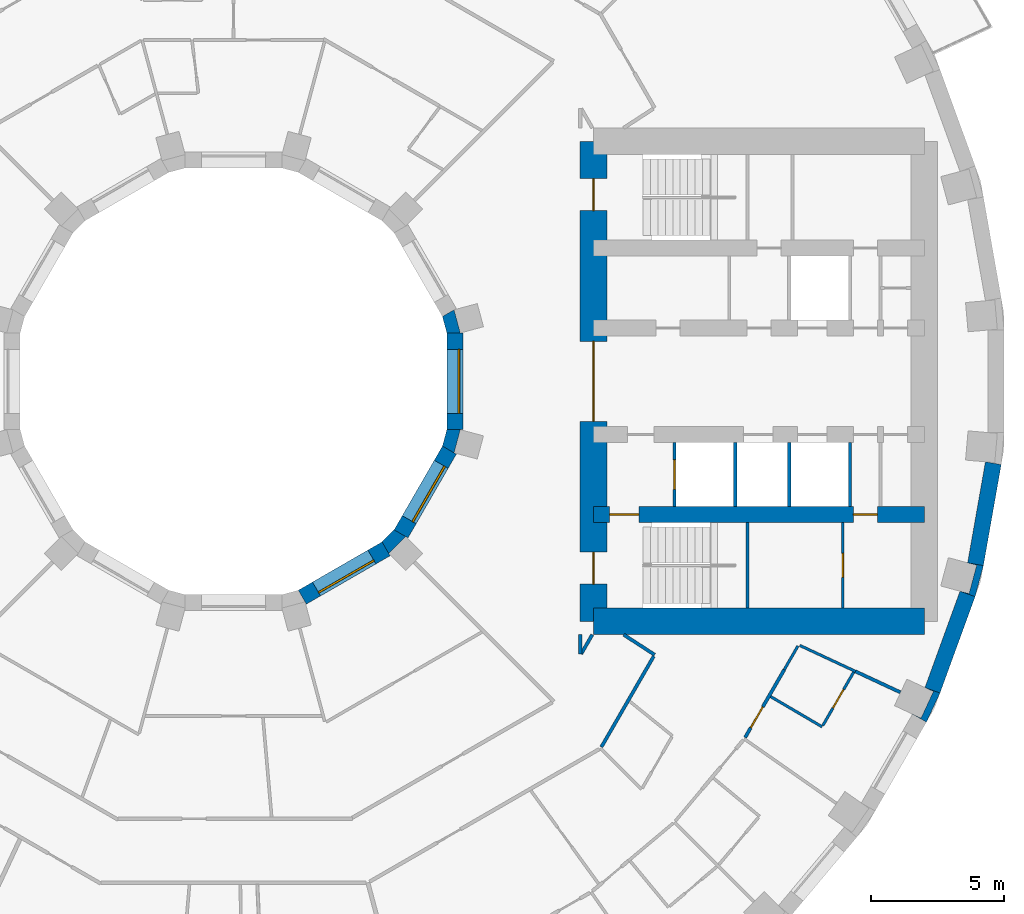
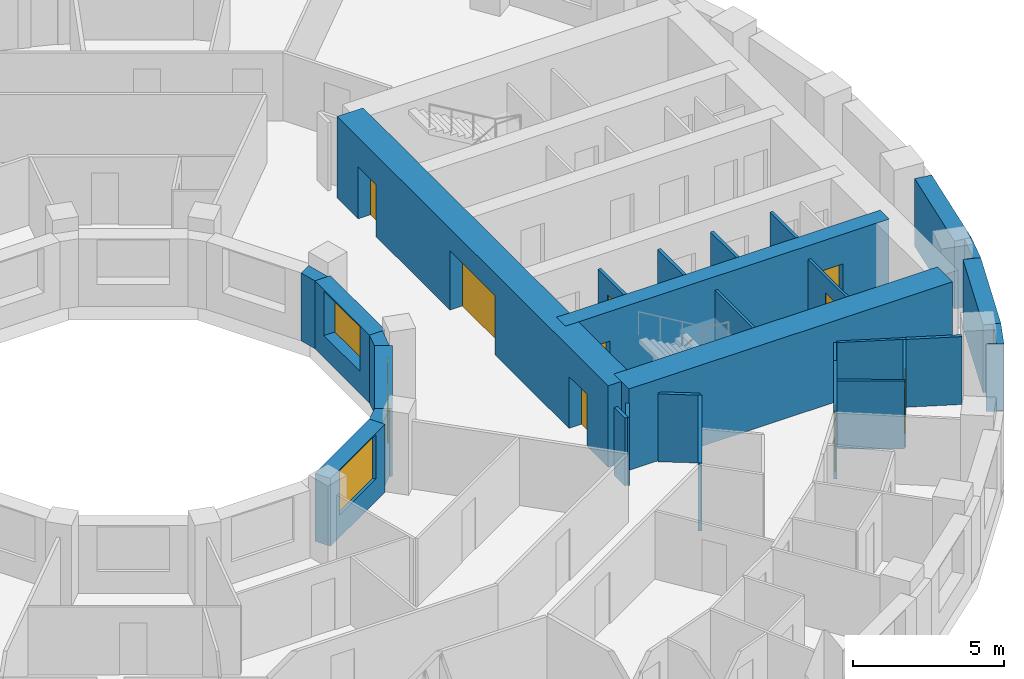
# One storey, part 8 of 15: 29 walls, 9 doors, 3 windows, 12 openings.
"""IFC4 building model written with IfcOpenShell, lengths in metres."""

from ifc_helpers import new_model, si_unit, direction, frame, frame_2d, origin, place, context, subcontext, project, spatial, polyline, rectangle, outline, extrude, material, layer, layer_set, type_object, element, fill, save


model = new_model("IFC4")

# Units and contexts
model_context = context("Model", 3, precision=1e-05, world=origin(), true_north=direction((0.0, 1.0)))
body_context = subcontext(model_context, "Body", "Model", "MODEL_VIEW")
ifc_project = project(units=[si_unit("LENGTHUNIT", "METRE"), si_unit("AREAUNIT", "SQUARE_METRE"), si_unit("VOLUMEUNIT", "CUBIC_METRE"), si_unit("PLANEANGLEUNIT", "RADIAN"), si_unit("MASSUNIT", "GRAM", prefix="KILO")], contexts=[model_context])

# Site, building, storey
site_placement = place(None, origin())
site = spatial("IfcSite", under=ifc_project, at=site_placement, CompositionType="ELEMENT")
building_placement = place(site_placement, origin())
building = spatial("IfcBuilding", under=site, at=building_placement, Name="Saqina Gate Tower", CompositionType="ELEMENT")
storey_placement = place(building_placement, frame((0.0, 0.0, 72.5)))
storey = spatial("IfcBuildingStorey", under=building, at=storey_placement, Name="L20", CompositionType="ELEMENT", Elevation=72.5)

# Walls
ifc_material_1 = material(Name="Brick masonry (red)", Category="masonry")
wall_type_1 = type_object("IfcWallType", Name="BRICK PIER COPING RED", PredefinedType="SOLIDWALL", material=ifc_material_1)
wall_1_placement = place(storey_placement, origin())
element("IfcWall", 1, at=wall_1_placement, inside=storey, type_object=wall_type_1, Name="Pier cap L20 column 34", PredefinedType="SOLIDWALL", context=body_context, shape_type="SweptSolid", body=[
    extrude(outline(polyline([(26.48974609375, -11.687744140625), (25.92578125, -11.482666015625), (26.243408203125, -11.630615234375), (25.778564453125, -12.627685546875), (25.4609375, -12.4794921875), (25.980712890625, -12.779541015625), (26.48974609375, -11.687744140625)])), origin(), (0.0, 0.0, 1.0), 2.75),
])
wall_2_placement = place(storey_placement, origin())
element("IfcWall", 2, at=wall_2_placement, inside=storey, type_object=wall_type_1, Name="Pier cap L20 column 35", PredefinedType="SOLIDWALL", context=body_context, shape_type="SweptSolid", body=[
    extrude(outline(polyline([(28.11669921875, -6.910400390625), (27.52587890625, -6.80615234375), (27.864501953125, -6.896728515625), (27.57958984375, -7.95947265625), (27.2412109375, -7.86865234375), (27.80517578125, -8.073974609375), (28.11669921875, -6.910400390625)])), origin(), (0.0, 0.0, 1.0), 2.75),
])

# Wall, opening, door
ifc_material_2 = material(Name="Gypsum board on steel studs", Category="steel")
ifc_layer_1 = layer(ifc_material_2, 0.10009765625)
ifc_layer_set_1 = layer_set([ifc_layer_1], Name="CORE PARTITION")
wall_type_2 = type_object("IfcWallType", Name="CORE PARTITION", PredefinedType="PARTITIONING", material=ifc_layer_set_1)
wall_3_placement = place(storey_placement, frame((22.846435546875, -8.5, 0.0), z_axis=(0.0, 0.0, 1.0), x_axis=(0.0, 1.0, 0.0)))
wall_3 = element("IfcWall", 3, at=wall_3_placement, inside=storey, type_object=wall_type_2, Name="L20-CP-E14", PredefinedType="PARTITIONING", context=body_context, shape_type="SweptSolid", body=[
    extrude(rectangle(XDim=3.199951171875, YDim=0.10009765625, at=frame_2d((1.60009765625, 0.0))), origin(), (0.0, 0.0, 1.0), 2.75),
])
opening_1_placement = place(wall_3_placement, frame((1.14990234375, 0.0, 0.0)))
opening_1 = element("IfcOpeningElement", 4, at=opening_1_placement, cuts=wall_3, Name="Opening G05-D100", PredefinedType="OPENING", context=body_context, shape_type="SweptSolid", body=[
    extrude(rectangle(XDim=0.89990234375, YDim=2.10009765625, at=frame_2d((0.449951171875, 1.050048828125))), frame((0.0, 0.06201171875, 0.0), z_axis=(0.0, -1.0, 0.0), x_axis=(1.0, 0.0, 0.0)), (0.0, 0.0, 1.0), 0.1240234375),
])
ifc_material_3 = material(Name="Steel-framed fire door leaf, EI 60", Category="steel")
door_type_1 = type_object("IfcDoorType", Name="SERVICE ROOM DOOR 900", OperationType="SINGLE_SWING_LEFT", PredefinedType="DOOR", material=ifc_material_3)
door_1_placement = place(opening_1_placement, origin())
door_1 = element("IfcDoor", 5, at=door_1_placement, inside=storey, type_object=door_type_1, Name="L20-CD-E11", OperationType="SINGLE_SWING_LEFT", OverallHeight=2.10009765625, OverallWidth=0.89990234375, PredefinedType="DOOR", context=body_context, shape_type="SweptSolid", body=[
    extrude(rectangle(XDim=0.89990234375, YDim=2.10009765625, at=frame_2d((0.449951171875, 1.050048828125))), frame((0.0, 0.02490234375, 0.0), z_axis=(0.0, -1.0, 0.0), x_axis=(1.0, 0.0, 0.0)), (0.0, 0.0, 1.0), 0.050048828125),
])
fill(opening_1, door_1)

# Walls
ifc_material_4 = material(Name="Glazed ceramic tile", Category="ceramic")
ifc_layer_2 = layer(ifc_material_4, 0.60009765625)
ifc_layer_set_2 = layer_set([ifc_layer_2], Name="FW-TILE")
wall_type_3 = type_object("IfcWallType", Name="FW-TILE", PredefinedType="SOLIDWALL", material=ifc_layer_set_2)
wall_4_placement = place(storey_placement, frame((27.8212890625, -6.858154296875, 0.0), z_axis=(0.0, 0.0, 1.0), x_axis=(0.173687553279, 0.984800809218, 0.0)))
element("IfcWall", 6, at=wall_4_placement, inside=storey, type_object=wall_type_3, Name="Facade wall L20 facet 35", PredefinedType="SOLIDWALL", context=body_context, shape_type="SweptSolid", body=[
    extrude(rectangle(XDim=3.845703125, YDim=0.60009765625, at=frame_2d((1.9228515625, 0.0))), origin(), (0.0, 0.0, 1.0), 2.75),
])
ifc_material_5 = material(Name="Glazed ceramic tile (dark blue)", Category="ceramic")
ifc_layer_3 = layer(ifc_material_5, 0.60009765625)
ifc_layer_set_3 = layer_set([ifc_layer_3], Name="FW-TILE-CB")
wall_type_4 = type_object("IfcWallType", Name="FW-TILE-CB", PredefinedType="SOLIDWALL", material=ifc_layer_set_3)
wall_5_placement = place(storey_placement, frame((26.207763671875, -11.585205078125, 0.0), z_axis=(0.0, 0.0, 1.0), x_axis=(0.342028474173, 0.939689588564, 0.0)))
element("IfcWall", 7, at=wall_5_placement, inside=storey, type_object=wall_type_4, Name="Facade wall L20 facet 34", PredefinedType="SOLIDWALL", context=body_context, shape_type="SweptSolid", body=[
    extrude(rectangle(XDim=3.845947265625, YDim=0.60009765625, at=frame_2d((1.9228515625, 0.0))), origin(), (0.0, 0.0, 1.0), 2.75),
])

# Wall, opening, window
ifc_material_6 = material(Name="Glazed ceramic tile", Category="ceramic")
ifc_layer_4 = layer(ifc_material_6, 0.60009765625)
ifc_layer_set_4 = layer_set([ifc_layer_4], Name="IW-TILE")
wall_type_5 = type_object("IfcWallType", Name="IW-TILE", PredefinedType="SOLIDWALL", material=ifc_layer_set_4)
wall_6_placement = place(storey_placement, frame((2.580322265625, -8.09423828125, 0.0), z_axis=(0.0, 0.0, 1.0), x_axis=(0.866029693906, 0.499992569217, 0.0)))
wall_6 = element("IfcWall", 8, at=wall_6_placement, inside=storey, type_object=wall_type_5, Name="Well wall L20 facet 10", PredefinedType="SOLIDWALL", context=body_context, shape_type="SweptSolid", body=[
    extrude(rectangle(XDim=3.625, YDim=0.60009765625, at=frame_2d((1.8125, 0.0))), origin(), (0.0, 0.0, 1.0), 2.75),
])
opening_2_placement = place(wall_6_placement, frame((0.612548828125, 0.0, 0.89990234375)))
opening_2 = element("IfcOpeningElement", 9, at=opening_2_placement, cuts=wall_6, Name="Opening G05-W32", PredefinedType="OPENING", context=body_context, shape_type="SweptSolid", body=[
    extrude(rectangle(XDim=2.39990234375, YDim=1.800048828125, at=frame_2d((1.199951171875, 0.89990234375))), frame((0.0, 0.31201171875, 0.0), z_axis=(0.0, -1.0, 0.0), x_axis=(1.0, 0.0, 0.0)), (0.0, 0.0, 1.0), 0.6240234375),
])
ifc_material_7 = material(Name="Aluminium glazing", Category="aluminium")
window_type = type_object("IfcWindowType", Name="WN-W", PartitioningType="SINGLE_PANEL", PredefinedType="WINDOW", material=ifc_material_7)
window_1_placement = place(opening_2_placement, origin())
window_1 = element("IfcWindow", 10, at=window_1_placement, inside=storey, type_object=window_type, Name="Well window L20 facet 10", OverallHeight=1.800048828125, OverallWidth=2.39990234375, PartitioningType="SINGLE_PANEL", PredefinedType="WINDOW", context=body_context, shape_type="SweptSolid", body=[
    extrude(rectangle(XDim=2.39990234375, YDim=1.800048828125, at=frame_2d((1.199951171875, 0.89990234375))), frame((0.0, -0.119873046875, 0.0), z_axis=(0.0, -1.0, 0.0), x_axis=(1.0, 0.0, 0.0)), (0.0, 0.0, 1.0), 0.06005859375),
])
fill(opening_2, window_1)

wall_7_placement = place(storey_placement, frame((6.28173828125, -5.7197265625, 0.0), z_axis=(0.0, 0.0, 1.0), x_axis=(0.499992569217, 0.866029693906, 0.0)))
wall_7 = element("IfcWall", 11, at=wall_7_placement, inside=storey, type_object=wall_type_5, Name="Well wall L20 facet 11", PredefinedType="SOLIDWALL", context=body_context, shape_type="SweptSolid", body=[
    extrude(rectangle(XDim=3.625, YDim=0.60009765625, at=frame_2d((1.8125, 0.0))), origin(), (0.0, 0.0, 1.0), 2.75),
])
opening_3_placement = place(wall_7_placement, frame((0.612548828125, 0.0, 0.89990234375)))
opening_3 = element("IfcOpeningElement", 12, at=opening_3_placement, cuts=wall_7, Name="Opening G05-W33", PredefinedType="OPENING", context=body_context, shape_type="SweptSolid", body=[
    extrude(rectangle(XDim=2.39990234375, YDim=1.800048828125, at=frame_2d((1.199951171875, 0.89990234375))), frame((0.0, 0.31201171875, 0.0), z_axis=(0.0, -1.0, 0.0), x_axis=(1.0, 0.0, 0.0)), (0.0, 0.0, 1.0), 0.6240234375),
])
window_2_placement = place(opening_3_placement, origin())
window_2 = element("IfcWindow", 13, at=window_2_placement, inside=storey, type_object=window_type, Name="Well window L20 facet 11", OverallHeight=1.800048828125, OverallWidth=2.39990234375, PartitioningType="SINGLE_PANEL", PredefinedType="WINDOW", context=body_context, shape_type="SweptSolid", body=[
    extrude(rectangle(XDim=2.39990234375, YDim=1.800048828125, at=frame_2d((1.199951171875, 0.89990234375))), frame((0.0, -0.119873046875, 0.0), z_axis=(0.0, -1.0, 0.0), x_axis=(1.0, 0.0, 0.0)), (0.0, 0.0, 1.0), 0.06005859375),
])
fill(opening_3, window_2)

wall_8_placement = place(storey_placement, frame((8.300048828125, -1.8125, 0.0), z_axis=(0.0, 0.0, 1.0), x_axis=(0.0, 1.0, 0.0)))
wall_8 = element("IfcWall", 14, at=wall_8_placement, inside=storey, type_object=wall_type_5, Name="Well wall L20 facet 12", PredefinedType="SOLIDWALL", context=body_context, shape_type="SweptSolid", body=[
    extrude(rectangle(XDim=3.625, YDim=0.60009765625, at=frame_2d((1.8125, 0.0))), origin(), (0.0, 0.0, 1.0), 2.75),
])
opening_4_placement = place(wall_8_placement, frame((0.612548828125, 0.0, 0.89990234375)))
opening_4 = element("IfcOpeningElement", 15, at=opening_4_placement, cuts=wall_8, Name="Opening G05-W34", PredefinedType="OPENING", context=body_context, shape_type="SweptSolid", body=[
    extrude(rectangle(XDim=2.39990234375, YDim=1.800048828125, at=frame_2d((1.199951171875, 0.89990234375))), frame((0.0, 0.31201171875, 0.0), z_axis=(0.0, -1.0, 0.0), x_axis=(1.0, 0.0, 0.0)), (0.0, 0.0, 1.0), 0.6240234375),
])
window_3_placement = place(opening_4_placement, origin())
window_3 = element("IfcWindow", 16, at=window_3_placement, inside=storey, type_object=window_type, Name="Well window L20 facet 12", OverallHeight=1.800048828125, OverallWidth=2.39990234375, PartitioningType="SINGLE_PANEL", PredefinedType="WINDOW", context=body_context, shape_type="SweptSolid", body=[
    extrude(rectangle(XDim=2.39990234375, YDim=1.800048828125, at=frame_2d((1.199951171875, 0.89990234375))), frame((0.0, -0.119873046875, 0.0), z_axis=(0.0, -1.0, 0.0), x_axis=(1.0, 0.0, 0.0)), (0.0, 0.0, 1.0), 0.06005859375),
])
fill(opening_4, window_3)

# Walls
ifc_material_8 = material(Name="Gypsum board on steel studs, 100 mm", Category="steel")
ifc_layer_5 = layer(ifc_material_8, 0.10009765625)
ifc_layer_set_5 = layer_set([ifc_layer_5], Name="PARTITION 100")
wall_type_6 = type_object("IfcWallType", Name="PARTITION 100", PredefinedType="PARTITIONING", material=ifc_layer_set_5)
wall_9_placement = place(storey_placement, frame((20.139892578125, -11.821533203125, 0.0), z_axis=(0.0, 0.0, 1.0), x_axis=(0.862374352329, -0.506271149134, 0.0)))
element("IfcWall", 17, at=wall_9_placement, inside=storey, type_object=wall_type_6, Name="PARTITION PW3-42", PredefinedType="PARTITIONING", context=body_context, shape_type="SweptSolid", body=[
    extrude(rectangle(XDim=2.237060546875, YDim=0.10009765625, at=frame_2d((1.11865234375, 0.0))), origin(), (0.0, 0.0, 1.0), 2.75),
])
wall_10_placement = place(storey_placement, frame((21.232421875, -9.903076171875, 0.0), z_axis=(0.0, 0.0, 1.0), x_axis=(0.906274952778, -0.422688667896, 0.0)))
element("IfcWall", 18, at=wall_10_placement, inside=storey, type_object=wall_type_6, Name="PARTITION PW3-49", PredefinedType="PARTITIONING", context=body_context, shape_type="SweptSolid", body=[
    extrude(rectangle(XDim=2.30908203125, YDim=0.10009765625, at=frame_2d((1.154541015625, 0.0))), origin(), (0.0, 0.0, 1.0), 2.75),
])

# Wall, opening, door
wall_11_placement = place(storey_placement, frame((22.093994140625, -12.91064453125, 0.0), z_axis=(0.0, 0.0, 1.0), x_axis=(0.500223263977, 0.865896463889, 0.0)))
wall_11 = element("IfcWall", 19, at=wall_11_placement, inside=storey, type_object=wall_type_6, Name="PARTITION PW3-96", PredefinedType="PARTITIONING", context=body_context, shape_type="SweptSolid", body=[
    extrude(rectangle(XDim=2.32080078125, YDim=0.10009765625, at=frame_2d((1.160400390625, 0.0))), origin(), (0.0, 0.0, 1.0), 2.75),
])
opening_5_placement = place(wall_11_placement, frame((0.761474609375, 0.0, 0.0)))
opening_5 = element("IfcOpeningElement", 20, at=opening_5_placement, cuts=wall_11, Name="Opening G05-D68", PredefinedType="OPENING", context=body_context, shape_type="SweptSolid", body=[
    extrude(rectangle(XDim=0.800048828125, YDim=2.10009765625, at=frame_2d((0.39990234375, 1.050048828125))), frame((0.0, 0.06201171875, 0.0), z_axis=(0.0, -1.0, 0.0), x_axis=(1.0, 0.0, 0.0)), (0.0, 0.0, 1.0), 0.1240234375),
])
ifc_material_9 = material(Name="Timber door leaf, 800 mm", Category="wood")
door_type_2 = type_object("IfcDoorType", Name="DOOR 800 TIMBER", OperationType="SINGLE_SWING_LEFT", PredefinedType="DOOR", material=ifc_material_9)
door_2_placement = place(opening_5_placement, frame((0.800048828125, 0.0, 0.0), z_axis=(0.0, 0.0, 1.0), x_axis=(-1.0, 0.0, 0.0)))
door_2 = element("IfcDoor", 21, at=door_2_placement, inside=storey, type_object=door_type_2, Name="DOOR G05-D68", OperationType="SINGLE_SWING_LEFT", OverallHeight=2.10009765625, OverallWidth=0.800048828125, PredefinedType="DOOR", context=body_context, shape_type="SweptSolid", body=[
    extrude(rectangle(XDim=0.800048828125, YDim=2.10009765625, at=frame_2d((0.39990234375, 1.050048828125))), frame((0.0, 0.02490234375, 0.0), z_axis=(0.0, -1.0, 0.0), x_axis=(1.0, 0.0, 0.0)), (0.0, 0.0, 1.0), 0.050048828125),
])
fill(opening_5, door_2)

# Walls
wall_12_placement = place(storey_placement, frame((20.646484375, -10.818603515625, 0.0), z_axis=(0.0, 0.0, 1.0), x_axis=(0.499797427156, 0.866142327685, 0.0)))
element("IfcWall", 22, at=wall_12_placement, inside=storey, type_object=wall_type_6, Name="PARTITION PW3-97", PredefinedType="PARTITIONING", context=body_context, shape_type="SweptSolid", body=[
    extrude(rectangle(XDim=1.03369140625, YDim=0.10009765625, at=frame_2d((0.516845703125, 0.0))), origin(), (0.0, 0.0, 1.0), 2.75),
])
ifc_material_10 = material(Name="Gypsum board on steel studs, 125 mm, fire rated", Category="steel")
ifc_layer_6 = layer(ifc_material_10, 0.125)
ifc_layer_set_6 = layer_set([ifc_layer_6], Name="PARTITION EI 30 125")
wall_type_7 = type_object("IfcWallType", Name="PARTITION EI 30 125", PredefinedType="PARTITIONING", material=ifc_layer_set_6)
wall_13_placement = place(storey_placement, frame((14.62890625, -9.5, 0.0), z_axis=(0.0, 0.0, 1.0), x_axis=(0.838830573332, -0.544392569056, 0.0)))
element("IfcWall", 23, at=wall_13_placement, inside=storey, type_object=wall_type_7, Name="PARTITION PW1-08", PredefinedType="PARTITIONING", context=body_context, shape_type="SweptSolid", body=[
    extrude(rectangle(XDim=1.383056640625, YDim=0.125, at=frame_2d((0.69140625, 0.0))), origin(), (0.0, 0.0, 1.0), 2.75),
])
wall_14_placement = place(storey_placement, frame((23.3251953125, -10.879150390625, 0.0), z_axis=(0.0, 0.0, 1.0), x_axis=(0.906348054162, -0.422531897869, 0.0)))
element("IfcWall", 24, at=wall_14_placement, inside=storey, type_object=wall_type_7, Name="PARTITION PW1-15", PredefinedType="PARTITIONING", context=body_context, shape_type="SweptSolid", body=[
    extrude(rectangle(XDim=1.8525390625, YDim=0.125, at=frame_2d((0.92626953125, 0.0))), origin(), (0.0, 0.0, 1.0), 2.75),
])

# Wall, opening, door
wall_15_placement = place(storey_placement, frame((19.182373046875, -13.35498046875, 0.0), z_axis=(0.0, 0.0, 1.0), x_axis=(0.500092867575, 0.865971780025, 0.0)))
wall_15 = element("IfcWall", 25, at=wall_15_placement, inside=storey, type_object=wall_type_7, Name="PARTITION PW1-46", PredefinedType="PARTITIONING", context=body_context, shape_type="SweptSolid", body=[
    extrude(rectangle(XDim=2.9287109375, YDim=0.125, at=frame_2d((1.46435546875, 0.0))), origin(), (0.0, 0.0, 1.0), 2.75),
])
opening_6_placement = place(wall_15_placement, frame((0.42236328125, 0.0, 0.0)))
opening_6 = element("IfcOpeningElement", 26, at=opening_6_placement, cuts=wall_15, Name="Opening G05-D67", PredefinedType="OPENING", context=body_context, shape_type="SweptSolid", body=[
    extrude(rectangle(XDim=0.89990234375, YDim=2.10009765625, at=frame_2d((0.449951171875, 1.050048828125))), frame((0.0, 0.074462890625, 0.0), z_axis=(0.0, -1.0, 0.0), x_axis=(1.0, 0.0, 0.0)), (0.0, 0.0, 1.0), 0.14892578125),
])
ifc_material_11 = material(Name="Fire door leaf EI 30, 900 mm")
door_type_3 = type_object("IfcDoorType", Name="DOOR 900 EI 30", OperationType="SINGLE_SWING_LEFT", PredefinedType="DOOR", material=ifc_material_11)
door_3_placement = place(opening_6_placement, origin())
door_3 = element("IfcDoor", 27, at=door_3_placement, inside=storey, type_object=door_type_3, Name="DOOR G05-D67", OperationType="SINGLE_SWING_LEFT", OverallHeight=2.10009765625, OverallWidth=0.89990234375, PredefinedType="DOOR", context=body_context, shape_type="SweptSolid", body=[
    extrude(rectangle(XDim=0.89990234375, YDim=2.10009765625, at=frame_2d((0.449951171875, 1.050048828125))), frame((0.0, 0.02490234375, 0.0), z_axis=(0.0, -1.0, 0.0), x_axis=(1.0, 0.0, 0.0)), (0.0, 0.0, 1.0), 0.050048828125),
])
fill(opening_6, door_3)

# Walls
wall_16_placement = place(storey_placement, frame((13.794189453125, -13.708984375, 0.0), z_axis=(0.0, 0.0, 1.0), x_axis=(0.499916150712, 0.866073808781, 0.0)))
element("IfcWall", 28, at=wall_16_placement, inside=storey, type_object=wall_type_7, Name="PARTITION PW1-47", PredefinedType="PARTITIONING", context=body_context, shape_type="SweptSolid", body=[
    extrude(rectangle(XDim=3.927978515625, YDim=0.125, at=frame_2d((1.9638671875, 0.0))), origin(), (0.0, 0.0, 1.0), 2.75),
])
wall_17_placement = place(storey_placement, frame((13.034912109375, -10.222412109375, 0.0), z_axis=(0.0, 0.0, 1.0), x_axis=(0.49991670217, 0.866073490468, 0.0)))
element("IfcWall", 29, at=wall_17_placement, inside=storey, type_object=wall_type_7, Name="PARTITION PW1-48", PredefinedType="PARTITIONING", context=body_context, shape_type="SweptSolid", body=[
    extrude(rectangle(XDim=0.834228515625, YDim=0.125, at=frame_2d((0.4169921875, 0.0))), origin(), (0.0, 0.0, 1.0), 2.75),
])
wall_18_placement = place(storey_placement, frame((13.0, -10.220458984375, 0.0), z_axis=(0.0, 0.0, 1.0), x_axis=(0.0, 1.0, 0.0)))
element("IfcWall", 30, at=wall_18_placement, inside=storey, type_object=wall_type_7, Name="PARTITION PW1-53", PredefinedType="PARTITIONING", context=body_context, shape_type="SweptSolid", body=[
    extrude(rectangle(XDim=0.720458984375, YDim=0.125, at=frame_2d((0.3603515625, 0.0))), origin(), (0.0, 0.0, 1.0), 2.75),
])

# Wall, opening, door
ifc_material_12 = material(Name="Autoclaved aerated concrete block", Category="concrete")
ifc_layer_7 = layer(ifc_material_12, 0.1201171875)
ifc_layer_set_7 = layer_set([ifc_layer_7], Name="SHAFT PARTITION")
wall_type_8 = type_object("IfcWallType", Name="SHAFT PARTITION", PredefinedType="PARTITIONING", material=ifc_layer_set_7)
wall_19_placement = place(storey_placement, frame((16.530029296875, -4.699951171875, 0.0), z_axis=(0.0, 0.0, 1.0), x_axis=(0.0, 1.0, 0.0)))
wall_19 = element("IfcWall", 31, at=wall_19_placement, inside=storey, type_object=wall_type_8, Name="L20-CP-E05", PredefinedType="PARTITIONING", context=body_context, shape_type="SweptSolid", body=[
    extrude(rectangle(XDim=2.39990234375, YDim=0.1201171875, at=frame_2d((1.199951171875, 0.0))), origin(), (0.0, 0.0, 1.0), 2.75),
])
opening_7_placement = place(wall_19_placement, frame((0.64990234375, 0.0, 0.0)))
opening_7 = element("IfcOpeningElement", 32, at=opening_7_placement, cuts=wall_19, Name="Opening G05-LD2", PredefinedType="OPENING", context=body_context, shape_type="SweptSolid", body=[
    extrude(rectangle(XDim=1.10009765625, YDim=2.10009765625, at=frame_2d((0.550048828125, 1.050048828125))), frame((0.0, 0.072021484375, 0.0), z_axis=(0.0, -1.0, 0.0), x_axis=(1.0, 0.0, 0.0)), (0.0, 0.0, 1.0), 0.14404296875),
])
ifc_material_13 = material(Name="Stainless steel", Category="steel")
door_type_4 = type_object("IfcDoorType", Name="LANDING DOOR", OperationType="DOUBLE_DOOR_SLIDING", PredefinedType="DOOR", material=ifc_material_13)
door_4_placement = place(opening_7_placement, origin())
door_4 = element("IfcDoor", 33, at=door_4_placement, inside=storey, type_object=door_type_4, Name="LANDING DOOR FF1", OperationType="DOUBLE_DOOR_SLIDING", OverallHeight=2.10009765625, OverallWidth=1.10009765625, PredefinedType="DOOR", context=body_context, shape_type="SweptSolid", body=[
    extrude(rectangle(XDim=1.10009765625, YDim=2.10009765625, at=frame_2d((0.550048828125, 1.050048828125))), frame((0.0, 0.02490234375, 0.0), z_axis=(0.0, -1.0, 0.0), x_axis=(1.0, 0.0, 0.0)), (0.0, 0.0, 1.0), 0.050048828125),
])
fill(opening_7, door_4)

# Walls
for number, where, z_axis, x_axis, name in (
    (34, (18.81005859375, -4.699951171875, 0.0), (0.0, 0.0, 1.0), (0.0, 1.0, 0.0), "L20-CP-E06"),
    (35, (20.840087890625, -4.699951171875, 0.0), (0.0, 0.0, 1.0), (0.0, 1.0, 0.0), "L20-CP-E07"),
    (36, (23.1201171875, -4.699951171875, 0.0), (0.0, 0.0, 1.0), (0.0, 1.0, 0.0), "L20-CP-E08"),
):
    element("IfcWall", number, at=place(storey_placement, frame(where, z_axis=z_axis, x_axis=x_axis)), inside=storey, type_object=wall_type_8, Name=name, PredefinedType="PARTITIONING", context=body_context, shape_type="SweptSolid", body=[
        extrude(rectangle(XDim=2.39990234375, YDim=0.1201171875, at=frame_2d((1.199951171875, 0.0))), origin(), (0.0, 0.0, 1.0), 2.75),
    ])
ifc_material_14 = material(Name="Autoclaved aerated concrete block", Category="concrete")
ifc_layer_8 = layer(ifc_material_14, 0.10009765625)
ifc_layer_set_8 = layer_set([ifc_layer_8], Name="STAIR ENCLOSURE WALL")
wall_type_9 = type_object("IfcWallType", Name="STAIR ENCLOSURE WALL", PredefinedType="PARTITIONING", material=ifc_layer_set_8)
wall_20_placement = place(storey_placement, frame((19.27001953125, -8.5, 0.0), z_axis=(0.0, 0.0, 1.0), x_axis=(0.0, 1.0, 0.0)))
element("IfcWall", 37, at=wall_20_placement, inside=storey, type_object=wall_type_9, Name="L20-CP-E13", PredefinedType="PARTITIONING", context=body_context, shape_type="SweptSolid", body=[
    extrude(rectangle(XDim=3.199951171875, YDim=0.10009765625, at=frame_2d((1.60009765625, 0.0))), origin(), (0.0, 0.0, 1.0), 2.75),
])

# Wall, openings, doors
ifc_material_15 = material(Name="Concrete C70/85", Category="concrete")
ifc_layer_9 = layer(ifc_material_15, 0.60009765625)
ifc_layer_set_9 = layer_set([ifc_layer_9], Name="Concrete C70/85")
wall_type_10 = type_object("IfcWallType", Name="STR-CORE WALL-A-I", PredefinedType="SHEAR", material=ifc_layer_set_9)
wall_21_placement = place(storey_placement, frame((13.5, -5.0, 0.0), z_axis=(0.0, 0.0, 1.0), x_axis=(1.0, 0.0, 0.0)))
wall_21 = element("IfcWall", 38, at=wall_21_placement, inside=storey, type_object=wall_type_10, Name="CORE WALL L20 E-X2", PredefinedType="SHEAR", context=body_context, shape_type="SweptSolid", body=[
    extrude(rectangle(XDim=12.39990234375, YDim=0.60009765625, at=frame_2d((6.199951171875, 0.0))), origin(), (0.0, 0.0, 1.0), 3.300048828125),
])
opening_8_placement = place(wall_21_placement, frame((9.739990234375, 0.0, 0.0)))
opening_8 = element("IfcOpeningElement", 39, at=opening_8_placement, cuts=wall_21, Name="Opening G05-D101", PredefinedType="OPENING", context=body_context, shape_type="SweptSolid", body=[
    extrude(rectangle(XDim=0.89990234375, YDim=2.10009765625, at=frame_2d((0.449951171875, 1.050048828125))), frame((0.0, 0.31201171875, 0.0), z_axis=(0.0, -1.0, 0.0), x_axis=(1.0, 0.0, 0.0)), (0.0, 0.0, 1.0), 0.6240234375),
])
opening_9_placement = place(wall_21_placement, frame((0.60009765625, 0.0, 0.0)))
opening_9 = element("IfcOpeningElement", 40, at=opening_9_placement, cuts=wall_21, Name="Opening G05-D102", PredefinedType="OPENING", context=body_context, shape_type="SweptSolid", body=[
    extrude(rectangle(XDim=1.10009765625, YDim=2.10009765625, at=frame_2d((0.550048828125, 1.050048828125))), frame((0.0, 0.31201171875, 0.0), z_axis=(0.0, -1.0, 0.0), x_axis=(1.0, 0.0, 0.0)), (0.0, 0.0, 1.0), 0.6240234375),
])
ifc_material_16 = material(Name="Steel", Category="steel")
door_type_5 = type_object("IfcDoorType", Name="FIRE LOBBY DOOR EI 60 WIDE", OperationType="SINGLE_SWING_LEFT", PredefinedType="DOOR", material=ifc_material_16)
door_5_placement = place(opening_9_placement, frame((1.10009765625, 0.0, 0.0), z_axis=(0.0, 0.0, 1.0), x_axis=(-1.0, 0.0, 0.0)))
door_5 = element("IfcDoor", 41, at=door_5_placement, inside=storey, type_object=door_type_5, Name="L20-CD-E13", OperationType="SINGLE_SWING_RIGHT", OverallHeight=2.10009765625, OverallWidth=1.10009765625, PredefinedType="DOOR", context=body_context, shape_type="SweptSolid", body=[
    extrude(rectangle(XDim=1.10009765625, YDim=2.10009765625, at=frame_2d((0.550048828125, 1.050048828125))), frame((0.0, 0.02490234375, 0.0), z_axis=(0.0, -1.0, 0.0), x_axis=(1.0, 0.0, 0.0)), (0.0, 0.0, 1.0), 0.050048828125),
])
fill(opening_9, door_5)
door_6_placement = place(opening_8_placement, frame((0.89990234375, 0.0, 0.0), z_axis=(0.0, 0.0, 1.0), x_axis=(-1.0, 0.0, 0.0)))
door_6 = element("IfcDoor", 42, at=door_6_placement, inside=storey, type_object=door_type_1, Name="L20-CD-E12", OperationType="SINGLE_SWING_RIGHT", OverallHeight=2.10009765625, OverallWidth=0.89990234375, PredefinedType="DOOR", context=body_context, shape_type="SweptSolid", body=[
    extrude(rectangle(XDim=0.89990234375, YDim=2.10009765625, at=frame_2d((0.449951171875, 1.050048828125))), frame((0.0, 0.02490234375, 0.0), z_axis=(0.0, -1.0, 0.0), x_axis=(1.0, 0.0, 0.0)), (0.0, 0.0, 1.0), 0.050048828125),
])
fill(opening_8, door_6)

ifc_material_17 = material(Name="Concrete C70/85", Category="concrete")
ifc_layer_10 = layer(ifc_material_17, 1.0)
ifc_layer_set_10 = layer_set([ifc_layer_10], Name="Concrete C70/85")
wall_type_11 = type_object("IfcWallType", Name="STR-CORE WALL-A-O", PredefinedType="SHEAR", material=ifc_layer_set_10)
wall_22_placement = place(storey_placement, frame((13.5, -9.0, 0.0), z_axis=(0.0, 0.0, 1.0), x_axis=(0.0, 1.0, 0.0)))
wall_22 = element("IfcWall", 43, at=wall_22_placement, inside=storey, type_object=wall_type_11, Name="CORE WALL L20 E-W1", PredefinedType="SHEAR", context=body_context, shape_type="SweptSolid", body=[
    extrude(rectangle(XDim=18.0, YDim=1.0, at=frame_2d((9.0, 0.0))), origin(), (0.0, 0.0, 1.0), 3.300048828125),
])
opening_10_placement = place(wall_22_placement, frame((15.39990234375, 0.0, 0.0)))
opening_10 = element("IfcOpeningElement", 44, at=opening_10_placement, cuts=wall_22, Name="Opening G05-D103", PredefinedType="OPENING", context=body_context, shape_type="SweptSolid", body=[
    extrude(rectangle(XDim=1.199951171875, YDim=2.10009765625, at=frame_2d((0.60009765625, 1.050048828125))), frame((0.0, 0.511962890625, 0.0), z_axis=(0.0, -1.0, 0.0), x_axis=(1.0, 0.0, 0.0)), (0.0, 0.0, 1.0), 1.02392578125),
])
opening_11_placement = place(wall_22_placement, frame((1.39990234375, 0.0, 0.0)))
opening_11 = element("IfcOpeningElement", 45, at=opening_11_placement, cuts=wall_22, Name="Opening G05-D104", PredefinedType="OPENING", context=body_context, shape_type="SweptSolid", body=[
    extrude(rectangle(XDim=1.199951171875, YDim=2.10009765625, at=frame_2d((0.60009765625, 1.050048828125))), frame((0.0, 0.511962890625, 0.0), z_axis=(0.0, -1.0, 0.0), x_axis=(1.0, 0.0, 0.0)), (0.0, 0.0, 1.0), 1.02392578125),
])
opening_12_placement = place(wall_22_placement, frame((7.5, 0.0, 0.0)))
opening_12 = element("IfcOpeningElement", 46, at=opening_12_placement, cuts=wall_22, Name="Opening G05-D105", PredefinedType="OPENING", context=body_context, shape_type="SweptSolid", body=[
    extrude(rectangle(XDim=3.0, YDim=2.39990234375, at=frame_2d((1.5, 1.199951171875))), frame((0.0, 0.511962890625, 0.0), z_axis=(0.0, -1.0, 0.0), x_axis=(1.0, 0.0, 0.0)), (0.0, 0.0, 1.0), 1.02392578125),
])
ifc_material_18 = material(Name="Steel", Category="steel")
door_type_6 = type_object("IfcDoorType", Name="FIRE DOOR EI 60", OperationType="SINGLE_SWING_LEFT", PredefinedType="DOOR", material=ifc_material_18)
door_7_placement = place(opening_10_placement, frame((1.199951171875, 0.0, 0.0), z_axis=(0.0, 0.0, 1.0), x_axis=(-1.0, 0.0, 0.0)))
door_7 = element("IfcDoor", 47, at=door_7_placement, inside=storey, type_object=door_type_6, Name="L20-CD-E14", OperationType="SINGLE_SWING_LEFT", OverallHeight=2.10009765625, OverallWidth=1.199951171875, PredefinedType="DOOR", context=body_context, shape_type="SweptSolid", body=[
    extrude(rectangle(XDim=1.199951171875, YDim=2.10009765625, at=frame_2d((0.60009765625, 1.050048828125))), frame((0.0, 0.02490234375, 0.0), z_axis=(0.0, -1.0, 0.0), x_axis=(1.0, 0.0, 0.0)), (0.0, 0.0, 1.0), 0.050048828125),
])
fill(opening_10, door_7)
door_8_placement = place(opening_11_placement, frame((1.199951171875, 0.0, 0.0), z_axis=(0.0, 0.0, 1.0), x_axis=(-1.0, 0.0, 0.0)))
door_8 = element("IfcDoor", 48, at=door_8_placement, inside=storey, type_object=door_type_6, Name="L20-CD-E15", OperationType="SINGLE_SWING_RIGHT", OverallHeight=2.10009765625, OverallWidth=1.199951171875, PredefinedType="DOOR", context=body_context, shape_type="SweptSolid", body=[
    extrude(rectangle(XDim=1.199951171875, YDim=2.10009765625, at=frame_2d((0.60009765625, 1.050048828125))), frame((0.0, 0.02490234375, 0.0), z_axis=(0.0, -1.0, 0.0), x_axis=(1.0, 0.0, 0.0)), (0.0, 0.0, 1.0), 0.050048828125),
])
fill(opening_11, door_8)
ifc_material_19 = material(Name="Steel and fire-resisting glass", Category="steel")
door_type_7 = type_object("IfcDoorType", Name="LOBBY SCREEN DOOR", OperationType="DOUBLE_DOOR_SLIDING", PredefinedType="DOOR", material=ifc_material_19)
door_9_placement = place(opening_12_placement, origin())
door_9 = element("IfcDoor", 49, at=door_9_placement, inside=storey, type_object=door_type_7, Name="L20-CD-E16", OperationType="DOUBLE_DOOR_SLIDING", OverallHeight=2.39990234375, OverallWidth=3.0, PredefinedType="DOOR", context=body_context, shape_type="SweptSolid", body=[
    extrude(rectangle(XDim=3.0, YDim=2.39990234375, at=frame_2d((1.5, 1.199951171875))), frame((0.0, 0.02490234375, 0.0), z_axis=(0.0, -1.0, 0.0), x_axis=(1.0, 0.0, 0.0)), (0.0, 0.0, 1.0), 0.050048828125),
])
fill(opening_12, door_9)

# Walls
wall_23_placement = place(storey_placement, frame((13.5, -9.0, 0.0), z_axis=(0.0, 0.0, 1.0), x_axis=(1.0, 0.0, 0.0)))
element("IfcWall", 50, at=wall_23_placement, inside=storey, type_object=wall_type_11, Name="CORE WALL L20 E-SE", PredefinedType="SHEAR", context=body_context, shape_type="SweptSolid", body=[
    extrude(rectangle(XDim=12.39990234375, YDim=1.0, at=frame_2d((6.199951171875, 0.0))), origin(), (0.0, 0.0, 1.0), 3.300048828125),
])
ifc_material_20 = material(Name="Glazed ceramic tile", Category="ceramic")
wall_type_12 = type_object("IfcWallType", Name="TILE PIER COPING", PredefinedType="SOLIDWALL", material=ifc_material_20)
wall_24_placement = place(storey_placement, origin())
element("IfcWall", 51, at=wall_24_placement, inside=storey, type_object=wall_type_12, Name="Well pier cap L20 column 1", PredefinedType="SOLIDWALL", context=body_context, shape_type="SweptSolid", body=[
    extrude(outline(polyline([(8.27001953125, 2.681884765625), (7.83447265625, 2.430419921875), (8.0, 1.8125), (8.502685546875, 1.8125), (8.27001953125, 2.681884765625)])), origin(), (0.0, 0.0, 1.0), 2.75),
])
wall_25_placement = place(storey_placement, origin())
element("IfcWall", 52, at=wall_25_placement, inside=storey, type_object=wall_type_12, Name="Well pier cap L20 column 11", PredefinedType="SOLIDWALL", context=body_context, shape_type="SweptSolid", body=[
    extrude(outline(polyline([(5.821044921875, -6.45751953125), (6.45751953125, -5.821044921875), (6.02197265625, -5.569580078125), (5.569580078125, -6.02197265625), (5.821044921875, -6.45751953125)])), origin(), (0.0, 0.0, 1.0), 2.75),
])
wall_26_placement = place(storey_placement, origin())
element("IfcWall", 53, at=wall_26_placement, inside=storey, type_object=wall_type_12, Name="Well pier cap L20 column 12", PredefinedType="SOLIDWALL", context=body_context, shape_type="SweptSolid", body=[
    extrude(outline(polyline([(8.502685546875, -1.8125), (8.0, -1.8125), (7.83447265625, -2.430419921875), (8.27001953125, -2.681884765625), (8.502685546875, -1.8125)])), origin(), (0.0, 0.0, 1.0), 2.75),
])

save(model, "model.ifc")
